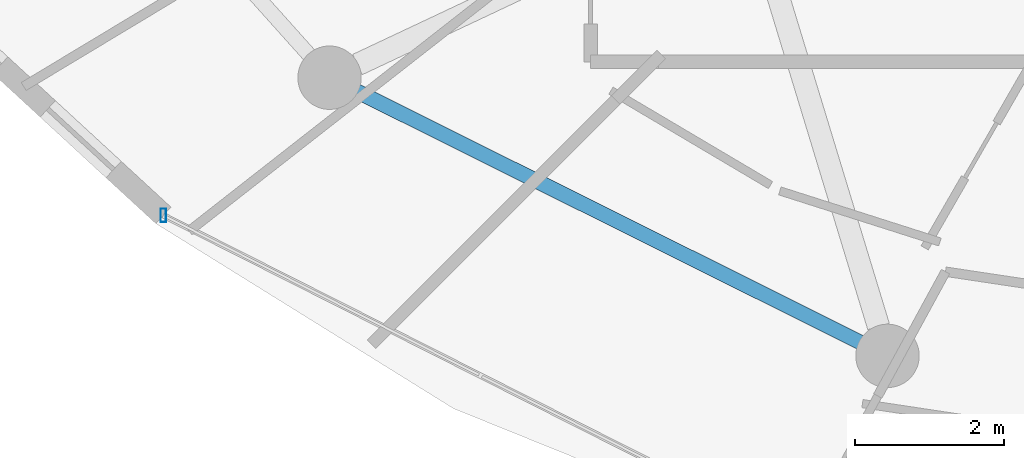
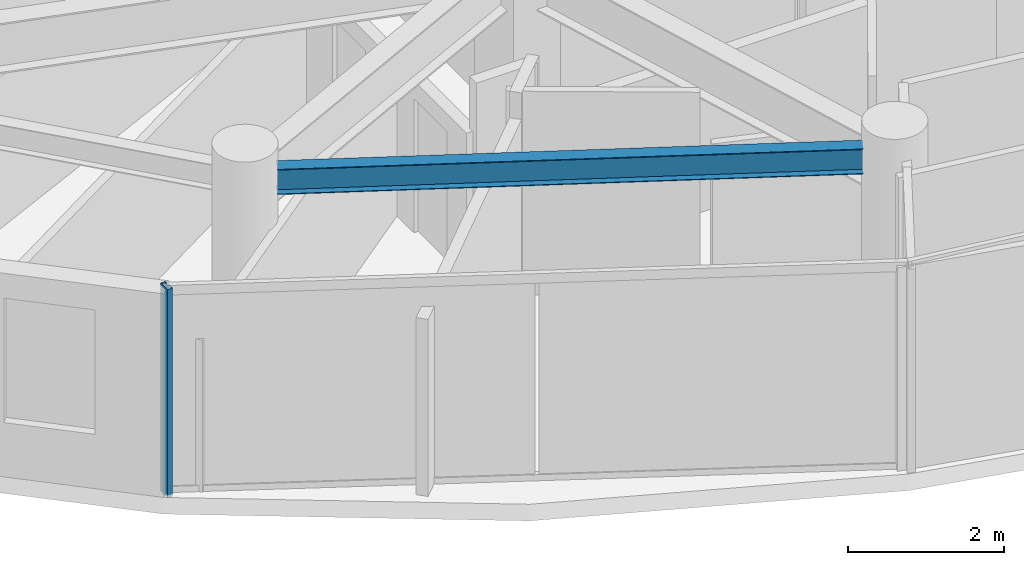
# One storey, part 2 of 25: 1 beam, 1 member, 1 element without a shape of its own.
"""IFC4 building model written with IfcOpenShell, lengths in metres."""

from ifc_helpers import new_model, si_unit, direction, frame, origin, origin_2d, place, context, subcontext, project, spatial, hollow_rectangle, i_section, extrude, material, material_profile, profile_set, type_object, element, aggregate, save


model = new_model("IFC4")

# Units and contexts
model_context = context("Model", 3, precision=1e-05, world=origin(), true_north=direction((0.0, 1.0)))
body_context = subcontext(model_context, "Body", "Model", "MODEL_VIEW")
ifc_project = project(units=[si_unit("LENGTHUNIT", "METRE"), si_unit("AREAUNIT", "SQUARE_METRE"), si_unit("VOLUMEUNIT", "CUBIC_METRE"), si_unit("PLANEANGLEUNIT", "RADIAN"), si_unit("MASSUNIT", "GRAM", prefix="KILO")], contexts=[model_context])

# Site, building, storey
site_placement = place(None, origin())
site = spatial("IfcSite", under=ifc_project, at=site_placement, CompositionType="ELEMENT")
building_placement = place(site_placement, origin())
building = spatial("IfcBuilding", under=site, at=building_placement, Name="Vorneva Point Tower", CompositionType="ELEMENT")
storey_placement = place(building_placement, frame((0.0, 0.0, 276.85009765625)))
storey = spatial("IfcBuildingStorey", under=building, at=storey_placement, Name="L75", CompositionType="ELEMENT", Elevation=276.85009765625)

# Beam
ifc_material_1 = material(Name="Steel S355", Category="steel")
ifc_material_profile_1 = material_profile(ifc_material_1, i_section(OverallWidth=0.198974609375, OverallDepth=0.39599609375, WebThickness=0.007080078125, FlangeThickness=0.010986328125, at=origin_2d()), Name="40B1")
ifc_profile_set_1 = profile_set([ifc_material_profile_1], Name="Steel S355")
beam_type = type_object("IfcBeamType", Name="BM-SPN-40B1", PredefinedType="SPANDREL", material=ifc_profile_set_1)
beam_placement = place(storey_placement, frame((22.068115234375, 13.65478515625, 2.991943359375), z_axis=(0.894932011528, -0.446202526599, 0.0), x_axis=(0.446202526599, 0.894932011528, 0.0)))
element("IfcBeam", 1, at=beam_placement, inside=storey, type_object=beam_type, Name="L75 Perimeter Spandrel Ring Beam 11", PredefinedType="SPANDREL", context=body_context, shape_type="SweptSolid", body=[
    extrude(i_section(OverallWidth=0.198974609375, OverallDepth=0.39599609375, WebThickness=0.007080078125, FlangeThickness=0.010986328125, at=origin_2d()), origin(), (0.0, 0.0, 1.0), 7.535888671875),
])

# Curtain wall, member
ifc_material_2 = material(Name="Pale anodised aluminium", Category="aluminium")
curtain_wall_type = type_object("IfcCurtainWallType", Name="CW-RES-SYS", PredefinedType="NOTDEFINED", material=ifc_material_2)
curtain_wall_placement = place(storey_placement, origin())
curtain_wall = element("IfcCurtainWall", 2, at=curtain_wall_placement, inside=storey, type_object=curtain_wall_type, Name="L75 Unitised Curtain Wall CW-L75-R04", PredefinedType="NOTDEFINED")
ifc_material_profile_2 = material_profile(ifc_material_2, hollow_rectangle(XDim=0.074951171875, YDim=0.179931640625, WallThickness=0.00390625, at=origin_2d()), Name="AL-MUL 180x75x4")
ifc_profile_set_2 = profile_set([ifc_material_profile_2], Name="Pale anodised aluminium")
member_type = type_object("IfcMemberType", Name="CW-MUL-180", PredefinedType="MULLION", material=ifc_profile_set_2)
member_placement = place(storey_placement, frame((19.473876953125, 11.9921875, -0.0400390625), z_axis=(0.0, 0.0, 1.0), x_axis=(1.0, 0.0, 0.0)))
member = element("IfcMember", 3, at=member_placement, type_object=member_type, Name="CW-L75-R04 Mullion 01", PredefinedType="MULLION", context=body_context, shape_type="SweptSolid", body=[
    extrude(hollow_rectangle(XDim=0.074951171875, YDim=0.179931640625, WallThickness=0.00390625, at=origin_2d()), origin(), (0.0, 0.0, 1.0), 3.260009765625),
])
aggregate(curtain_wall, [member])

save(model, "model.ifc")
